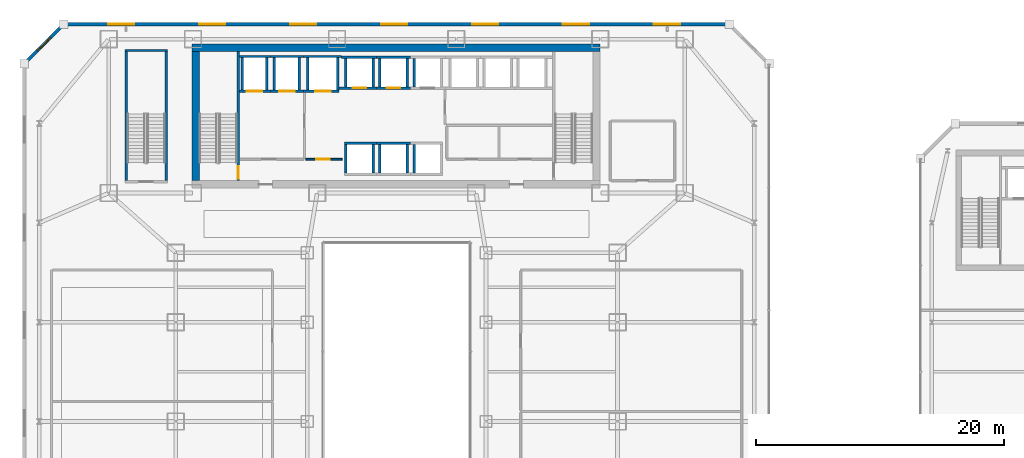
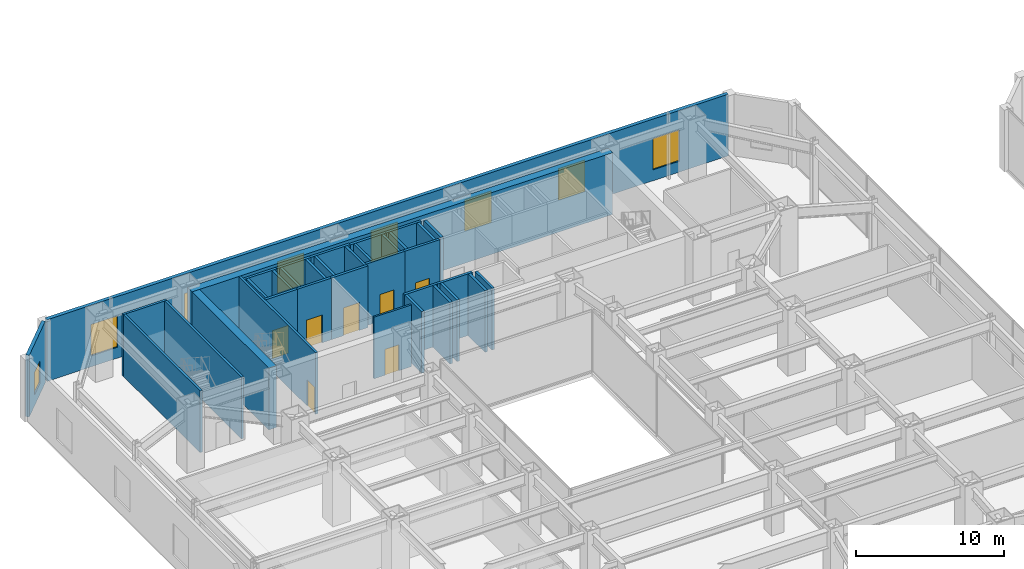
# One storey, part 40 of 52: 37 walls, 8 windows, 7 doors, 15 openings.
"""IFC4 building model written with IfcOpenShell, lengths in metres."""

import ifcopenshell
import ifcopenshell.guid

model = None  # the IFC model being written
_history = None  # IfcOwnerHistory: only IFC2X3 demands one
_inside = {}  # id of a spatial element -> (the spatial element, [elements in it])
_under = {}  # id of a project, library or spatial element -> (it, [spatial elements below it])
_declared = {}  # id of a project -> (the project, [libraries it declares])
_typed = {}  # id of a type object -> (the type object, [elements of that type])
_made_of = {}  # id of a material, layer set ... -> (it, [elements and type objects made of it])


def new_model(schema):
    """Start an empty IFC model of exactly this schema.

    Asked for "IFC4X3", IfcOpenShell would pick the latest addendum, in which some entities
    have other attributes; the version numbers below select the first issue.
    IFC2X3 requires an IfcOwnerHistory on every rooted entity: one is made here for all.
    """
    global model, _history
    if schema == "IFC4X3":
        model = ifcopenshell.file(schema_version=(4, 3, 0, 0))
    else:
        model = ifcopenshell.file(schema=schema)
    _inside.clear()
    _under.clear()
    _declared.clear()
    _typed.clear()
    _made_of.clear()
    _history = None
    if model.schema == "IFC2X3":
        org = make("IfcOrganization", Name="unknown")
        user = make(
            "IfcPersonAndOrganization",
            ThePerson=make("IfcPerson", FamilyName="unknown"),
            TheOrganization=org,
        )
        app = make(
            "IfcApplication",
            ApplicationDeveloper=org,
            Version="unknown",
            ApplicationFullName="unknown",
            ApplicationIdentifier="unknown",
        )
        _history = make(
            "IfcOwnerHistory",
            OwningUser=user,
            OwningApplication=app,
            ChangeAction="ADDED",
            CreationDate=0,
        )
    return model


def make(cls, **values):
    """One entity of the class cls with the attributes given. An attribute that is None is left unset."""
    return model.create_entity(
        cls, **{name: value for name, value in values.items() if value is not None}
    )


def rooted(cls, **values):
    """An entity with a GlobalId (a new one), such as an element, a storey or a relation."""
    return make(cls, GlobalId=ifcopenshell.guid.new(), OwnerHistory=_history, **values)


def si_unit(unit_type, name, prefix=None):
    """IfcSIUnit, for example si_unit("LENGTHUNIT", "METRE", prefix="MILLI")."""
    return make("IfcSIUnit", UnitType=unit_type, Prefix=prefix, Name=name)


def assignment(units):
    """IfcUnitAssignment: the units of a project."""
    return None if units is None else make("IfcUnitAssignment", Units=units)


def point(xyz):
    """IfcCartesianPoint."""
    return None if xyz is None else make("IfcCartesianPoint", Coordinates=xyz)


def direction(xyz):
    """IfcDirection."""
    return None if xyz is None else make("IfcDirection", DirectionRatios=xyz)


def frame(location, z_axis=None, x_axis=None):
    """IfcAxis2Placement3D, a coordinate frame: its origin and axes. An axis left out is left unset."""
    return make(
        "IfcAxis2Placement3D",
        Location=point(location),
        Axis=direction(z_axis),
        RefDirection=direction(x_axis),
    )


def frame_2d(location, x_axis=None):
    """IfcAxis2Placement2D, a coordinate frame in the plane: its origin and x axis."""
    return make(
        "IfcAxis2Placement2D", Location=point(location), RefDirection=direction(x_axis)
    )


def origin():
    """The frame at (0, 0, 0) with its axes left unset."""
    return frame((0.0, 0.0, 0.0))


def place(relative_to, where):
    """IfcLocalPlacement: puts the frame where relative to a parent placement (None: the world)."""
    return make(
        "IfcLocalPlacement", PlacementRelTo=relative_to, RelativePlacement=where
    )


def context(
    kind, dimensions, precision=None, world=None, true_north=None, identifier=None
):
    """IfcGeometricRepresentationContext, for example the 3D "Model" context."""
    return make(
        "IfcGeometricRepresentationContext",
        ContextIdentifier=identifier,
        ContextType=kind,
        CoordinateSpaceDimension=dimensions,
        Precision=precision,
        WorldCoordinateSystem=world,
        TrueNorth=true_north,
    )


def subcontext(parent, identifier, kind, view, scale=None):
    """IfcGeometricRepresentationSubContext, for example "Body" below "Model"."""
    return make(
        "IfcGeometricRepresentationSubContext",
        ContextIdentifier=identifier,
        ContextType=kind,
        ParentContext=parent,
        TargetScale=scale,
        TargetView=view,
    )


def project(units=None, contexts=None):
    """IfcProject with its units and contexts."""
    return rooted(
        "IfcProject",
        Name="project",
        RepresentationContexts=contexts,
        UnitsInContext=assignment(units),
    )


def spatial(cls, under=None, at=None, **own):
    """A site, building, storey or space (cls), placed at a placement, below another one or the project."""
    s = rooted(cls, ObjectPlacement=at, **own)
    if under is not None:
        _under.setdefault(under.id(), (under, []))[1].append(s)
    return s


def profile(cls, at=None, kind="AREA", **sizes):
    """A parametric profile (cls). Its sizes go by their IFC names, for example OverallWidth=200.0."""
    return make(cls, ProfileType=kind, Position=at, **sizes)


def rectangle(**sizes):
    """IfcRectangleProfileDef."""
    return profile("IfcRectangleProfileDef", **sizes)


def extrude(swept, where, along, depth):
    """IfcExtrudedAreaSolid: the profile swept, set in the frame where, extruded along a direction by depth."""
    return make(
        "IfcExtrudedAreaSolid",
        SweptArea=swept,
        Position=where,
        ExtrudedDirection=direction(along),
        Depth=depth,
    )


def shape(context_of_items, identifier, shape_type, items):
    """IfcShapeRepresentation: the items that make up one representation, for example the "Body"."""
    return make(
        "IfcShapeRepresentation",
        ContextOfItems=context_of_items,
        RepresentationIdentifier=identifier,
        RepresentationType=shape_type,
        Items=items,
    )


def material(Name=None, Category=None):
    """IfcMaterial."""
    return make("IfcMaterial", Name=Name, Category=Category)


def layer(
    of_material, thickness, ventilated=None, Name=None, Category=None, Priority=None
):
    """IfcMaterialLayer: one layer of a wall or slab, of a material (None: an air gap)."""
    return make(
        "IfcMaterialLayer",
        Material=of_material,
        LayerThickness=thickness,
        IsVentilated=ventilated,
        Name=Name,
        Category=Category,
        Priority=Priority,
    )


def layer_set(layers, Name=None):
    """IfcMaterialLayerSet."""
    return make("IfcMaterialLayerSet", MaterialLayers=layers, LayerSetName=Name)


def made_of(thing, what):
    """Note that an element or type object is made of a material, layer set ...; save() writes the relation."""
    if what is not None:
        _made_of.setdefault(what.id(), (what, []))[1].append(thing)
    return thing


def type_object(cls, material=None, **own):
    """A type object (cls), such as IfcWallType, which elements share."""
    return made_of(rooted(cls, **own), material)


def element(
    cls,
    number,
    at=None,
    inside=None,
    cuts=None,
    type_object=None,
    material=None,
    context=None,
    identifier="Body",
    shape_type=None,
    held_by="IfcProductDefinitionShape",
    body=None,
    shapes=None,
    **own,
):
    """One element of the class cls, such as IfcWall. Its Tag is "e" and its number.

    at: its placement. inside: the storey or other place that contains it. cuts: it is an
    opening in that element (IfcRelVoidsElement). A single representation is given by context,
    identifier, shape_type and body (its items); several are given by shapes. held_by: the class
    of the entity that holds the representations. save() writes the other relations.
    """
    e = rooted(cls, Tag="e%d" % number, ObjectPlacement=at, **own)
    if body is not None:
        shapes = [shape(context, identifier, shape_type, body)]
    if shapes is not None:
        e.Representation = make(held_by, Representations=shapes)
    if inside is not None:
        _inside.setdefault(inside.id(), (inside, []))[1].append(e)
    if cuts is not None:
        rooted(
            "IfcRelVoidsElement", RelatingBuildingElement=cuts, RelatedOpeningElement=e
        )
    if type_object is not None:
        _typed.setdefault(type_object.id(), (type_object, []))[1].append(e)
    return made_of(e, material)


def fill(opening, filler):
    """IfcRelFillsElement: the door or window that sits in an opening."""
    return rooted(
        "IfcRelFillsElement",
        RelatingOpeningElement=opening,
        RelatedBuildingElement=filler,
    )


def aggregate(whole, parts):
    """IfcRelAggregates: a whole, such as a stair, and the parts it consists of."""
    return rooted("IfcRelAggregates", RelatingObject=whole, RelatedObjects=parts)


def save(model, path):
    """Write the relations noted so far, then the file.

    IfcRelAggregates (storeys below a building ...), IfcRelContainedInSpatialStructure (elements
    in a storey), IfcRelDefinesByType, IfcRelAssociatesMaterial and IfcRelDeclares: one each for
    every whole, place, type object, material and project.
    """
    for whole, parts in _under.values():
        aggregate(whole, parts)
    for where, things in _inside.values():
        rooted(
            "IfcRelContainedInSpatialStructure",
            RelatedElements=things,
            RelatingStructure=where,
        )
    for kind, things in _typed.values():
        rooted("IfcRelDefinesByType", RelatedObjects=things, RelatingType=kind)
    for what, things in _made_of.values():
        rooted("IfcRelAssociatesMaterial", RelatedObjects=things, RelatingMaterial=what)
    for by, libraries in _declared.values():
        rooted("IfcRelDeclares", RelatingContext=by, RelatedDefinitions=libraries)
    model.write(path)


model = new_model("IFC4")

# Units and contexts
model_context = context("Model", 3, precision=1e-05, world=origin(), true_north=direction((0.0, 1.0)))
body_context = subcontext(model_context, "Body", "Model", "MODEL_VIEW")
ifc_project = project(units=[si_unit("LENGTHUNIT", "METRE"), si_unit("AREAUNIT", "SQUARE_METRE"), si_unit("VOLUMEUNIT", "CUBIC_METRE"), si_unit("PLANEANGLEUNIT", "RADIAN"), si_unit("MASSUNIT", "GRAM", prefix="KILO")], contexts=[model_context])

# Site, building, storey
site_placement = place(None, origin())
site = spatial("IfcSite", under=ifc_project, at=site_placement, CompositionType="ELEMENT")
building_placement = place(site_placement, origin())
building = spatial("IfcBuilding", under=site, at=building_placement, Name="Saevonmaru Cultural Tower", CompositionType="ELEMENT")
storey_placement = place(building_placement, frame((0.0, 0.0, 16.800048828125)))
storey = spatial("IfcBuildingStorey", under=building, at=storey_placement, Name="L03", CompositionType="ELEMENT", Elevation=16.800048828125)

# Walls
ifc_material_1 = material(Name="Concrete C60/75", Category="concrete")
ifc_layer_1 = layer(ifc_material_1, 0.60009765625, Name="Concrete C60/75")
ifc_layer_set_1 = layer_set([ifc_layer_1], Name="Concrete C60/75")
wall_type_1 = type_object("IfcWallType", Name="WL-CORE-600", PredefinedType="SHEAR", material=ifc_layer_set_1)
wall_1_placement = place(storey_placement, frame((13.5, 54.10009765625, 0.0), z_axis=(0.0, 0.0, 1.0), x_axis=(1.0, 0.0, 0.0)))
element("IfcWall", 1, at=wall_1_placement, inside=storey, type_object=wall_type_1, Name="L03 Tower RC core shear wall N", PredefinedType="SHEAR", context=body_context, shape_type="SweptSolid", body=[
    extrude(rectangle(XDim=32.89990234375, YDim=0.60009765625, at=frame_2d((16.449951171875, 0.0))), origin(), (0.0, 0.0, 1.0), 5.099853515625),
])
wall_2_placement = place(storey_placement, frame((13.800048828125, 43.39990234375, 0.0), z_axis=(0.0, 0.0, 1.0), x_axis=(0.0, 1.0, 0.0)))
element("IfcWall", 2, at=wall_2_placement, inside=storey, type_object=wall_type_1, Name="L03 Tower RC core shear wall W", PredefinedType="SHEAR", context=body_context, shape_type="SweptSolid", body=[
    extrude(rectangle(XDim=10.400146484375, YDim=0.60009765625, at=frame_2d((5.2001953125, 0.0))), origin(), (0.0, 0.0, 1.0), 5.099853515625),
])

# Wall, opening, door
ifc_material_2 = material(Name="Gypsum Fireboard Partition", Category="gypsum")
ifc_layer_2 = layer(ifc_material_2, 0.14990234375, Name="Gypsum Fireboard Partition")
ifc_layer_set_2 = layer_set([ifc_layer_2], Name="Gypsum Fireboard Partition")
wall_type_2 = type_object("IfcWallType", Name="WL-CORE-PART-150", PredefinedType="PARTITIONING", material=ifc_layer_set_2)
wall_3_placement = place(storey_placement, frame((22.679931640625, 45.1201171875, 0.0), z_axis=(0.0, 0.0, 1.0), x_axis=(1.0, 0.0, 0.0)))
wall_3 = element("IfcWall", 3, at=wall_3_placement, inside=storey, type_object=wall_type_2, Name="L03 Service Lift Vestibule Wall", PredefinedType="PARTITIONING", context=body_context, shape_type="SweptSolid", body=[
    extrude(rectangle(XDim=2.920166015625, YDim=0.14990234375, at=frame_2d((1.4599609375, 0.0))), origin(), (0.0, 0.0, 1.0), 5.099853515625),
])
opening_1_placement = place(wall_3_placement, frame((0.85009765625, 0.0, 0.0)))
opening_1 = element("IfcOpeningElement", 4, at=opening_1_placement, cuts=wall_3, Name="Opening FD-2", PredefinedType="OPENING", context=body_context, shape_type="SweptSolid", body=[
    extrude(rectangle(XDim=1.10009765625, YDim=2.14990234375, at=frame_2d((0.550048828125, 1.074951171875))), frame((0.0, 0.0849609375, 0.0), z_axis=(0.0, -1.0, 0.0), x_axis=(1.0, 0.0, 0.0)), (0.0, 0.0, 1.0), 0.169921875),
])
ifc_material_3 = material(Name="Satin Bronze Anodised Aluminium", Category="aluminium")
door_type_1 = type_object("IfcDoorType", Name="DR-FD60-1100", OperationType="SINGLE_SWING_LEFT", PredefinedType="DOOR", material=ifc_material_3)
door_1_placement = place(opening_1_placement, origin())
door_1 = element("IfcDoor", 5, at=door_1_placement, inside=storey, type_object=door_type_1, Name="L03 Service Lift Vestibule Door", OperationType="SINGLE_SWING_LEFT", OverallHeight=2.14990234375, OverallWidth=1.10009765625, PredefinedType="DOOR", context=body_context, shape_type="SweptSolid", body=[
    extrude(rectangle(XDim=1.10009765625, YDim=2.14990234375, at=frame_2d((0.550048828125, 1.074951171875))), frame((0.0, 0.02490234375, 0.0), z_axis=(0.0, -1.0, 0.0), x_axis=(1.0, 0.0, 0.0)), (0.0, 0.0, 1.0), 0.050048828125),
])
fill(opening_1, door_1)

# Wall, opening, window
ifc_material_4 = material(Name="Granite-Clad Precast Concrete C40/50", Category="masonry")
ifc_layer_3 = layer(ifc_material_4, 0.260009765625, Name="Granite-Clad Precast Concrete C40/50")
ifc_layer_set_3 = layer_set([ifc_layer_3], Name="Granite-Clad Precast Concrete C40/50")
wall_type_3 = type_object("IfcWallType", Name="WL-EXT-SPANDREL-260", PredefinedType="STANDARD", material=ifc_layer_set_3)
wall_4_placement = place(storey_placement, frame((3.0869140625, 55.886962890625, 0.0), z_axis=(0.0, 0.0, 1.0), x_axis=(-0.707106781187, -0.707106781187, 0.0)))
wall_4 = element("IfcWall", 6, at=wall_4_placement, inside=storey, type_object=wall_type_3, Name="L03 Podium Bronze-Granite Exterior Wall E7", PredefinedType="STANDARD", context=body_context, shape_type="SweptSolid", body=[
    extrude(rectangle(XDim=4.205810546875, YDim=0.260009765625, at=frame_2d((2.10302734375, 0.0))), origin(), (0.0, 0.0, 1.0), 5.099853515625),
])
opening_2_placement = place(wall_4_placement, frame((1.35302734375, 0.0, 0.89990234375)))
opening_2 = element("IfcOpeningElement", 7, at=opening_2_placement, cuts=wall_4, Name="Opening W-2B", PredefinedType="OPENING", context=body_context, shape_type="SweptSolid", body=[
    extrude(rectangle(XDim=1.5, YDim=1.85009765625, at=frame_2d((0.75, 0.925048828125))), frame((0.0, 0.14013671875, 0.0), z_axis=(0.0, -1.0, 0.0), x_axis=(1.0, 0.0, 0.0)), (0.0, 0.0, 1.0), 0.280029296875),
])
window_type_1 = type_object("IfcWindowType", Name="WN-DECO-1500x1850", PartitioningType="SINGLE_PANEL", PredefinedType="WINDOW", material=ifc_material_3)
window_1_placement = place(opening_2_placement, origin())
window_1 = element("IfcWindow", 8, at=window_1_placement, inside=storey, type_object=window_type_1, Name="L03 Chamfer Bay Window E7", OverallHeight=1.85009765625, OverallWidth=1.5, PartitioningType="SINGLE_PANEL", PredefinedType="WINDOW", context=body_context, shape_type="SweptSolid", body=[
    extrude(rectangle(XDim=1.5, YDim=1.85009765625, at=frame_2d((0.75, 0.925048828125))), frame((0.0, 0.030029296875, 0.0), z_axis=(0.0, -1.0, 0.0), x_axis=(1.0, 0.0, 0.0)), (0.0, 0.0, 1.0), 0.06005859375),
])
fill(opening_2, window_1)

# Wall, openings, windows
ifc_layer_4 = layer(ifc_material_4, 0.280029296875, Name="Granite-Clad Precast Concrete C40/50")
ifc_layer_set_4 = layer_set([ifc_layer_4], Name="Granite-Clad Precast Concrete C40/50")
wall_type_4 = type_object("IfcWallType", Name="WL-EXT-SPANDREL-280", PredefinedType="STANDARD", material=ifc_layer_set_4)
wall_5_placement = place(storey_placement, frame((56.639892578125, 56.0, 0.0), z_axis=(0.0, 0.0, 1.0), x_axis=(-1.0, 0.0, 0.0)))
wall_5 = element("IfcWall", 9, at=wall_5_placement, inside=storey, type_object=wall_type_4, Name="L03 Podium Bronze-Granite Exterior Wall E6", PredefinedType="STANDARD", context=body_context, shape_type="SweptSolid", body=[
    extrude(rectangle(XDim=53.27978515625, YDim=0.280029296875, at=frame_2d((26.639892578125, 0.0))), origin(), (0.0, 0.0, 1.0), 5.099853515625),
])
opening_3_placement = place(wall_5_placement, frame((3.81298828125, 0.0, 0.89990234375)))
opening_3 = element("IfcOpeningElement", 10, at=opening_3_placement, cuts=wall_5, Name="Opening W-1B", PredefinedType="OPENING", context=body_context, shape_type="SweptSolid", body=[
    extrude(rectangle(XDim=2.10009765625, YDim=2.60009765625, at=frame_2d((1.050048828125, 1.300048828125))), frame((0.0, 0.14990234375, 0.0), z_axis=(0.0, -1.0, 0.0), x_axis=(1.0, 0.0, 0.0)), (0.0, 0.0, 1.0), 0.300048828125),
])
opening_4_placement = place(wall_5_placement, frame((11.138916015625, 0.0, 0.89990234375)))
opening_4 = element("IfcOpeningElement", 11, at=opening_4_placement, cuts=wall_5, Name="Opening W-1B", PredefinedType="OPENING", context=body_context, shape_type="SweptSolid", body=[
    extrude(rectangle(XDim=2.10009765625, YDim=2.60009765625, at=frame_2d((1.050048828125, 1.300048828125))), frame((0.0, 0.14990234375, 0.0), z_axis=(0.0, -1.0, 0.0), x_axis=(1.0, 0.0, 0.0)), (0.0, 0.0, 1.0), 0.300048828125),
])
opening_5_placement = place(wall_5_placement, frame((18.464111328125, 0.0, 0.89990234375)))
opening_5 = element("IfcOpeningElement", 12, at=opening_5_placement, cuts=wall_5, Name="Opening W-1B", PredefinedType="OPENING", context=body_context, shape_type="SweptSolid", body=[
    extrude(rectangle(XDim=2.10009765625, YDim=2.60009765625, at=frame_2d((1.050048828125, 1.300048828125))), frame((0.0, 0.14990234375, 0.0), z_axis=(0.0, -1.0, 0.0), x_axis=(1.0, 0.0, 0.0)), (0.0, 0.0, 1.0), 0.300048828125),
])
opening_6_placement = place(wall_5_placement, frame((25.7900390625, 0.0, 0.89990234375)))
opening_6 = element("IfcOpeningElement", 13, at=opening_6_placement, cuts=wall_5, Name="Opening W-1B", PredefinedType="OPENING", context=body_context, shape_type="SweptSolid", body=[
    extrude(rectangle(XDim=2.10009765625, YDim=2.60009765625, at=frame_2d((1.050048828125, 1.300048828125))), frame((0.0, 0.14990234375, 0.0), z_axis=(0.0, -1.0, 0.0), x_axis=(1.0, 0.0, 0.0)), (0.0, 0.0, 1.0), 0.300048828125),
])
opening_7_placement = place(wall_5_placement, frame((33.115966796875, 0.0, 0.89990234375)))
opening_7 = element("IfcOpeningElement", 14, at=opening_7_placement, cuts=wall_5, Name="Opening W-1B", PredefinedType="OPENING", context=body_context, shape_type="SweptSolid", body=[
    extrude(rectangle(XDim=2.10009765625, YDim=2.60009765625, at=frame_2d((1.050048828125, 1.300048828125))), frame((0.0, 0.14990234375, 0.0), z_axis=(0.0, -1.0, 0.0), x_axis=(1.0, 0.0, 0.0)), (0.0, 0.0, 1.0), 0.300048828125),
])
opening_8_placement = place(wall_5_placement, frame((40.44091796875, 0.0, 0.89990234375)))
opening_8 = element("IfcOpeningElement", 15, at=opening_8_placement, cuts=wall_5, Name="Opening W-1B", PredefinedType="OPENING", context=body_context, shape_type="SweptSolid", body=[
    extrude(rectangle(XDim=2.10009765625, YDim=2.60009765625, at=frame_2d((1.050048828125, 1.300048828125))), frame((0.0, 0.14990234375, 0.0), z_axis=(0.0, -1.0, 0.0), x_axis=(1.0, 0.0, 0.0)), (0.0, 0.0, 1.0), 0.300048828125),
])
opening_9_placement = place(wall_5_placement, frame((47.76708984375, 0.0, 0.89990234375)))
opening_9 = element("IfcOpeningElement", 16, at=opening_9_placement, cuts=wall_5, Name="Opening W-1B", PredefinedType="OPENING", context=body_context, shape_type="SweptSolid", body=[
    extrude(rectangle(XDim=2.10009765625, YDim=2.60009765625, at=frame_2d((1.050048828125, 1.300048828125))), frame((0.0, 0.14990234375, 0.0), z_axis=(0.0, -1.0, 0.0), x_axis=(1.0, 0.0, 0.0)), (0.0, 0.0, 1.0), 0.300048828125),
])
window_type_2 = type_object("IfcWindowType", Name="WN-DECO-2100x2600", PartitioningType="DOUBLE_PANEL_VERTICAL", PredefinedType="WINDOW", material=ifc_material_3)
window_2_placement = place(opening_3_placement, origin())
window_2 = element("IfcWindow", 17, at=window_2_placement, inside=storey, type_object=window_type_2, Name="L03 Art Deco Bronze Window E6-1", OverallHeight=2.60009765625, OverallWidth=2.10009765625, PartitioningType="DOUBLE_PANEL_VERTICAL", PredefinedType="WINDOW", context=body_context, shape_type="SweptSolid", body=[
    extrude(rectangle(XDim=2.10009765625, YDim=2.60009765625, at=frame_2d((1.050048828125, 1.300048828125))), frame((0.0, 0.030029296875, 0.0), z_axis=(0.0, -1.0, 0.0), x_axis=(1.0, 0.0, 0.0)), (0.0, 0.0, 1.0), 0.06005859375),
])
fill(opening_3, window_2)
window_3_placement = place(opening_4_placement, origin())
window_3 = element("IfcWindow", 18, at=window_3_placement, inside=storey, type_object=window_type_2, Name="L03 Art Deco Bronze Window E6-2", OverallHeight=2.60009765625, OverallWidth=2.10009765625, PartitioningType="DOUBLE_PANEL_VERTICAL", PredefinedType="WINDOW", context=body_context, shape_type="SweptSolid", body=[
    extrude(rectangle(XDim=2.10009765625, YDim=2.60009765625, at=frame_2d((1.050048828125, 1.300048828125))), frame((0.0, 0.030029296875, 0.0), z_axis=(0.0, -1.0, 0.0), x_axis=(1.0, 0.0, 0.0)), (0.0, 0.0, 1.0), 0.06005859375),
])
fill(opening_4, window_3)
window_4_placement = place(opening_5_placement, origin())
window_4 = element("IfcWindow", 19, at=window_4_placement, inside=storey, type_object=window_type_2, Name="L03 Art Deco Bronze Window E6-3", OverallHeight=2.60009765625, OverallWidth=2.10009765625, PartitioningType="DOUBLE_PANEL_VERTICAL", PredefinedType="WINDOW", context=body_context, shape_type="SweptSolid", body=[
    extrude(rectangle(XDim=2.10009765625, YDim=2.60009765625, at=frame_2d((1.050048828125, 1.300048828125))), frame((0.0, 0.030029296875, 0.0), z_axis=(0.0, -1.0, 0.0), x_axis=(1.0, 0.0, 0.0)), (0.0, 0.0, 1.0), 0.06005859375),
])
fill(opening_5, window_4)
window_5_placement = place(opening_6_placement, origin())
window_5 = element("IfcWindow", 20, at=window_5_placement, inside=storey, type_object=window_type_2, Name="L03 Art Deco Bronze Window E6-4", OverallHeight=2.60009765625, OverallWidth=2.10009765625, PartitioningType="DOUBLE_PANEL_VERTICAL", PredefinedType="WINDOW", context=body_context, shape_type="SweptSolid", body=[
    extrude(rectangle(XDim=2.10009765625, YDim=2.60009765625, at=frame_2d((1.050048828125, 1.300048828125))), frame((0.0, 0.030029296875, 0.0), z_axis=(0.0, -1.0, 0.0), x_axis=(1.0, 0.0, 0.0)), (0.0, 0.0, 1.0), 0.06005859375),
])
fill(opening_6, window_5)
window_6_placement = place(opening_7_placement, origin())
window_6 = element("IfcWindow", 21, at=window_6_placement, inside=storey, type_object=window_type_2, Name="L03 Art Deco Bronze Window E6-5", OverallHeight=2.60009765625, OverallWidth=2.10009765625, PartitioningType="DOUBLE_PANEL_VERTICAL", PredefinedType="WINDOW", context=body_context, shape_type="SweptSolid", body=[
    extrude(rectangle(XDim=2.10009765625, YDim=2.60009765625, at=frame_2d((1.050048828125, 1.300048828125))), frame((0.0, 0.030029296875, 0.0), z_axis=(0.0, -1.0, 0.0), x_axis=(1.0, 0.0, 0.0)), (0.0, 0.0, 1.0), 0.06005859375),
])
fill(opening_7, window_6)
window_7_placement = place(opening_8_placement, origin())
window_7 = element("IfcWindow", 22, at=window_7_placement, inside=storey, type_object=window_type_2, Name="L03 Art Deco Bronze Window E6-6", OverallHeight=2.60009765625, OverallWidth=2.10009765625, PartitioningType="DOUBLE_PANEL_VERTICAL", PredefinedType="WINDOW", context=body_context, shape_type="SweptSolid", body=[
    extrude(rectangle(XDim=2.10009765625, YDim=2.60009765625, at=frame_2d((1.050048828125, 1.300048828125))), frame((0.0, 0.030029296875, 0.0), z_axis=(0.0, -1.0, 0.0), x_axis=(1.0, 0.0, 0.0)), (0.0, 0.0, 1.0), 0.06005859375),
])
fill(opening_8, window_7)
window_8_placement = place(opening_9_placement, origin())
window_8 = element("IfcWindow", 23, at=window_8_placement, inside=storey, type_object=window_type_2, Name="L03 Art Deco Bronze Window E6-7", OverallHeight=2.60009765625, OverallWidth=2.10009765625, PartitioningType="DOUBLE_PANEL_VERTICAL", PredefinedType="WINDOW", context=body_context, shape_type="SweptSolid", body=[
    extrude(rectangle(XDim=2.10009765625, YDim=2.60009765625, at=frame_2d((1.050048828125, 1.300048828125))), frame((0.0, 0.030029296875, 0.0), z_axis=(0.0, -1.0, 0.0), x_axis=(1.0, 0.0, 0.0)), (0.0, 0.0, 1.0), 0.06005859375),
])
fill(opening_9, window_8)

# Wall, opening, door
ifc_material_5 = material(Name="Concrete C40/50", Category="concrete")
ifc_layer_5 = layer(ifc_material_5, 0.199951171875, Name="Concrete C40/50")
ifc_layer_set_5 = layer_set([ifc_layer_5], Name="Concrete C40/50")
wall_type_5 = type_object("IfcWallType", Name="WL-SHAFT-200", PredefinedType="SHEAR", material=ifc_layer_set_5)
wall_6_placement = place(storey_placement, frame((17.330078125, 50.60009765625, 0.0), z_axis=(0.0, 0.0, 1.0), x_axis=(1.0, 0.0, 0.0)))
wall_6 = element("IfcWall", 24, at=wall_6_placement, inside=storey, type_object=wall_type_5, Name="L03 Lift FFL-1 Hoistway Wall S", PredefinedType="SHEAR", context=body_context, shape_type="SweptSolid", body=[
    extrude(rectangle(XDim=2.52001953125, YDim=0.199951171875, at=frame_2d((1.260009765625, 0.0))), origin(), (0.0, 0.0, 1.0), 5.099853515625),
])
opening_10_placement = place(wall_6_placement, frame((0.594970703125, 0.0, 0.0)))
opening_10 = element("IfcOpeningElement", 25, at=opening_10_placement, cuts=wall_6, Name="Opening LD-2", PredefinedType="OPENING", context=body_context, shape_type="SweptSolid", body=[
    extrude(rectangle(XDim=1.25, YDim=2.300048828125, at=frame_2d((0.625, 1.14990234375))), frame((0.0, 0.10986328125, 0.0), z_axis=(0.0, -1.0, 0.0), x_axis=(1.0, 0.0, 0.0)), (0.0, 0.0, 1.0), 0.219970703125),
])
ifc_material_6 = material(Name="Stainless Steel 316", Category="steel")
door_type_2 = type_object("IfcDoorType", Name="DR-LIFT-1250", OperationType="SLIDING_TO_LEFT", PredefinedType="DOOR", material=ifc_material_6)
door_2_placement = place(opening_10_placement, origin())
door_2 = element("IfcDoor", 26, at=door_2_placement, inside=storey, type_object=door_type_2, Name="L03 Lift FFL-1 Sliding Landing Door", OperationType="SLIDING_TO_LEFT", OverallHeight=2.300048828125, OverallWidth=1.25, PredefinedType="DOOR", context=body_context, shape_type="SweptSolid", body=[
    extrude(rectangle(XDim=1.25, YDim=2.300048828125, at=frame_2d((0.625, 1.14990234375))), frame((0.0, 0.02490234375, 0.0), z_axis=(0.0, -1.0, 0.0), x_axis=(1.0, 0.0, 0.0)), (0.0, 0.0, 1.0), 0.050048828125),
])
fill(opening_10, door_2)

# Walls
wall_7_placement = place(storey_placement, frame((17.330078125, 53.39990234375, 0.0), z_axis=(0.0, 0.0, 1.0), x_axis=(1.0, 0.0, 0.0)))
element("IfcWall", 27, at=wall_7_placement, inside=storey, type_object=wall_type_5, Name="L03 Lift FFL-1 Hoistway Wall N", PredefinedType="SHEAR", context=body_context, shape_type="SweptSolid", body=[
    extrude(rectangle(XDim=2.52001953125, YDim=0.199951171875, at=frame_2d((1.260009765625, 0.0))), origin(), (0.0, 0.0, 1.0), 5.099853515625),
])
for number, where, z_axis, x_axis, name in (
    (28, (17.550048828125, 50.699951171875, 0.0), (0.0, 0.0, 1.0), (0.0, 1.0, 0.0), "L03 Lift FFL-1 Hoistway Wall W"),
    (29, (19.550048828125, 50.699951171875, 0.0), (0.0, 0.0, 1.0), (0.0, 1.0, 0.0), "L03 Lift FFL-1 Hoistway Wall E"),
):
    element("IfcWall", number, at=place(storey_placement, frame(where, z_axis=z_axis, x_axis=x_axis)), inside=storey, type_object=wall_type_5, Name=name, PredefinedType="SHEAR", context=body_context, shape_type="SweptSolid", body=[
        extrude(rectangle(XDim=2.60009765625, YDim=0.199951171875, at=frame_2d((1.300048828125, 0.0))), origin(), (0.0, 0.0, 1.0), 5.099853515625),
    ])

# Wall, opening, door
wall_8_placement = place(storey_placement, frame((19.85009765625, 50.60009765625, 0.0), z_axis=(0.0, 0.0, 1.0), x_axis=(1.0, 0.0, 0.0)))
wall_8 = element("IfcWall", 30, at=wall_8_placement, inside=storey, type_object=wall_type_5, Name="L03 Lift FFL-2 Hoistway Wall S", PredefinedType="SHEAR", context=body_context, shape_type="SweptSolid", body=[
    extrude(rectangle(XDim=2.64990234375, YDim=0.199951171875, at=frame_2d((1.324951171875, 0.0))), origin(), (0.0, 0.0, 1.0), 5.099853515625),
])
opening_11_placement = place(wall_8_placement, frame((0.675048828125, 0.0, 0.0)))
opening_11 = element("IfcOpeningElement", 31, at=opening_11_placement, cuts=wall_8, Name="Opening LD-2", PredefinedType="OPENING", context=body_context, shape_type="SweptSolid", body=[
    extrude(rectangle(XDim=1.25, YDim=2.300048828125, at=frame_2d((0.625, 1.14990234375))), frame((0.0, 0.10986328125, 0.0), z_axis=(0.0, -1.0, 0.0), x_axis=(1.0, 0.0, 0.0)), (0.0, 0.0, 1.0), 0.219970703125),
])
door_3_placement = place(opening_11_placement, origin())
door_3 = element("IfcDoor", 32, at=door_3_placement, inside=storey, type_object=door_type_2, Name="L03 Lift FFL-2 Sliding Landing Door", OperationType="SLIDING_TO_LEFT", OverallHeight=2.300048828125, OverallWidth=1.25, PredefinedType="DOOR", context=body_context, shape_type="SweptSolid", body=[
    extrude(rectangle(XDim=1.25, YDim=2.300048828125, at=frame_2d((0.625, 1.14990234375))), frame((0.0, 0.02490234375, 0.0), z_axis=(0.0, -1.0, 0.0), x_axis=(1.0, 0.0, 0.0)), (0.0, 0.0, 1.0), 0.050048828125),
])
fill(opening_11, door_3)

# Walls
wall_9_placement = place(storey_placement, frame((19.85009765625, 53.39990234375, 0.0), z_axis=(0.0, 0.0, 1.0), x_axis=(1.0, 0.0, 0.0)))
element("IfcWall", 33, at=wall_9_placement, inside=storey, type_object=wall_type_5, Name="L03 Lift FFL-2 Hoistway Wall N", PredefinedType="SHEAR", context=body_context, shape_type="SweptSolid", body=[
    extrude(rectangle(XDim=2.64990234375, YDim=0.199951171875, at=frame_2d((1.324951171875, 0.0))), origin(), (0.0, 0.0, 1.0), 5.099853515625),
])
for number, where, z_axis, x_axis, name in (
    (34, (20.14990234375, 50.699951171875, 0.0), (0.0, 0.0, 1.0), (0.0, 1.0, 0.0), "L03 Lift FFL-2 Hoistway Wall W"),
    (35, (22.14990234375, 50.699951171875, 0.0), (0.0, 0.0, 1.0), (0.0, 1.0, 0.0), "L03 Lift FFL-2 Hoistway Wall E"),
):
    element("IfcWall", number, at=place(storey_placement, frame(where, z_axis=z_axis, x_axis=x_axis)), inside=storey, type_object=wall_type_5, Name=name, PredefinedType="SHEAR", context=body_context, shape_type="SweptSolid", body=[
        extrude(rectangle(XDim=2.60009765625, YDim=0.199951171875, at=frame_2d((1.300048828125, 0.0))), origin(), (0.0, 0.0, 1.0), 5.099853515625),
    ])

# Wall, opening, door
wall_10_placement = place(storey_placement, frame((22.5, 50.60009765625, 0.0), z_axis=(0.0, 0.0, 1.0), x_axis=(1.0, 0.0, 0.0)))
wall_10 = element("IfcWall", 36, at=wall_10_placement, inside=storey, type_object=wall_type_5, Name="L03 Lift GL-1 Hoistway Wall S", PredefinedType="SHEAR", context=body_context, shape_type="SweptSolid", body=[
    extrude(rectangle(XDim=2.85009765625, YDim=0.199951171875, at=frame_2d((1.425048828125, 0.0))), origin(), (0.0, 0.0, 1.0), 5.099853515625),
])
opening_12_placement = place(wall_10_placement, frame((0.925048828125, 0.0, 0.0)))
opening_12 = element("IfcOpeningElement", 37, at=opening_12_placement, cuts=wall_10, Name="Opening LD-2", PredefinedType="OPENING", context=body_context, shape_type="SweptSolid", body=[
    extrude(rectangle(XDim=1.25, YDim=2.300048828125, at=frame_2d((0.625, 1.14990234375))), frame((0.0, 0.10986328125, 0.0), z_axis=(0.0, -1.0, 0.0), x_axis=(1.0, 0.0, 0.0)), (0.0, 0.0, 1.0), 0.219970703125),
])
door_4_placement = place(opening_12_placement, origin())
door_4 = element("IfcDoor", 38, at=door_4_placement, inside=storey, type_object=door_type_2, Name="L03 Lift GL-1 Sliding Landing Door", OperationType="SLIDING_TO_LEFT", OverallHeight=2.300048828125, OverallWidth=1.25, PredefinedType="DOOR", context=body_context, shape_type="SweptSolid", body=[
    extrude(rectangle(XDim=1.25, YDim=2.300048828125, at=frame_2d((0.625, 1.14990234375))), frame((0.0, 0.02490234375, 0.0), z_axis=(0.0, -1.0, 0.0), x_axis=(1.0, 0.0, 0.0)), (0.0, 0.0, 1.0), 0.050048828125),
])
fill(opening_12, door_4)

# Walls
wall_11_placement = place(storey_placement, frame((22.5, 53.39990234375, 0.0), z_axis=(0.0, 0.0, 1.0), x_axis=(1.0, 0.0, 0.0)))
element("IfcWall", 39, at=wall_11_placement, inside=storey, type_object=wall_type_5, Name="L03 Lift GL-1 Hoistway Wall N", PredefinedType="SHEAR", context=body_context, shape_type="SweptSolid", body=[
    extrude(rectangle(XDim=3.074951171875, YDim=0.199951171875, at=frame_2d((1.53759765625, 0.0))), origin(), (0.0, 0.0, 1.0), 5.099853515625),
])
for number, where, z_axis, x_axis, name in (
    (40, (22.85009765625, 50.699951171875, 0.0), (0.0, 0.0, 1.0), (0.0, 1.0, 0.0), "L03 Lift GL-1 Hoistway Wall W"),
    (41, (25.25, 50.699951171875, 0.0), (0.0, 0.0, 1.0), (0.0, 1.0, 0.0), "L03 Lift GL-1 Hoistway Wall E"),
):
    element("IfcWall", number, at=place(storey_placement, frame(where, z_axis=z_axis, x_axis=x_axis)), inside=storey, type_object=wall_type_5, Name=name, PredefinedType="SHEAR", context=body_context, shape_type="SweptSolid", body=[
        extrude(rectangle(XDim=2.60009765625, YDim=0.199951171875, at=frame_2d((1.300048828125, 0.0))), origin(), (0.0, 0.0, 1.0), 5.099853515625),
    ])

# Wall, opening, door
wall_12_placement = place(storey_placement, frame((25.35009765625, 50.85009765625, 0.0), z_axis=(0.0, 0.0, 1.0), x_axis=(1.0, 0.0, 0.0)))
wall_12 = element("IfcWall", 42, at=wall_12_placement, inside=storey, type_object=wall_type_5, Name="L03 Lift PL-L1 Hoistway Wall S", PredefinedType="SHEAR", context=body_context, shape_type="SweptSolid", body=[
    extrude(rectangle(XDim=3.02490234375, YDim=0.199951171875, at=frame_2d((1.512451171875, 0.0))), origin(), (0.0, 0.0, 1.0), 5.099853515625),
])
opening_13_placement = place(wall_12_placement, frame((1.10009765625, 0.0, 0.0)))
opening_13 = element("IfcOpeningElement", 43, at=opening_13_placement, cuts=wall_12, Name="Opening LD-1", PredefinedType="OPENING", context=body_context, shape_type="SweptSolid", body=[
    extrude(rectangle(XDim=1.10009765625, YDim=2.199951171875, at=frame_2d((0.550048828125, 1.10009765625))), frame((0.0, 0.10986328125, 0.0), z_axis=(0.0, -1.0, 0.0), x_axis=(1.0, 0.0, 0.0)), (0.0, 0.0, 1.0), 0.219970703125),
])
ifc_material_7 = material(Name="Satin Bronze Stainless Steel", Category="steel")
door_type_3 = type_object("IfcDoorType", Name="DR-LIFT-1100", OperationType="SLIDING_TO_LEFT", PredefinedType="DOOR", material=ifc_material_7)
door_5_placement = place(opening_13_placement, origin())
door_5 = element("IfcDoor", 44, at=door_5_placement, inside=storey, type_object=door_type_3, Name="L03 Lift PL-L1 Sliding Landing Door", OperationType="SLIDING_TO_LEFT", OverallHeight=2.199951171875, OverallWidth=1.10009765625, PredefinedType="DOOR", context=body_context, shape_type="SweptSolid", body=[
    extrude(rectangle(XDim=1.10009765625, YDim=2.199951171875, at=frame_2d((0.550048828125, 1.10009765625))), frame((0.0, 0.02490234375, 0.0), z_axis=(0.0, -1.0, 0.0), x_axis=(1.0, 0.0, 0.0)), (0.0, 0.0, 1.0), 0.050048828125),
])
fill(opening_13, door_5)

# Walls
wall_13_placement = place(storey_placement, frame((25.574951171875, 53.35009765625, 0.0), z_axis=(0.0, 0.0, 1.0), x_axis=(1.0, 0.0, 0.0)))
element("IfcWall", 45, at=wall_13_placement, inside=storey, type_object=wall_type_5, Name="L03 Lift PL-L1 Hoistway Wall N", PredefinedType="SHEAR", context=body_context, shape_type="SweptSolid", body=[
    extrude(rectangle(XDim=2.800048828125, YDim=0.199951171875, at=frame_2d((1.39990234375, 0.0))), origin(), (0.0, 0.0, 1.0), 5.099853515625),
])
for number, where, z_axis, x_axis, name in (
    (46, (25.89990234375, 50.949951171875, 0.0), (0.0, 0.0, 1.0), (0.0, 1.0, 0.0), "L03 Lift PL-L1 Hoistway Wall W"),
    (47, (28.10009765625, 50.949951171875, 0.0), (0.0, 0.0, 1.0), (0.0, 1.0, 0.0), "L03 Lift PL-L1 Hoistway Wall E"),
):
    element("IfcWall", number, at=place(storey_placement, frame(where, z_axis=z_axis, x_axis=x_axis)), inside=storey, type_object=wall_type_5, Name=name, PredefinedType="SHEAR", context=body_context, shape_type="SweptSolid", body=[
        extrude(rectangle(XDim=2.300048828125, YDim=0.199951171875, at=frame_2d((1.14990234375, 0.0))), origin(), (0.0, 0.0, 1.0), 5.099853515625),
    ])

# Wall, opening, door
wall_14_placement = place(storey_placement, frame((28.375, 50.85009765625, 0.0), z_axis=(0.0, 0.0, 1.0), x_axis=(1.0, 0.0, 0.0)))
wall_14 = element("IfcWall", 48, at=wall_14_placement, inside=storey, type_object=wall_type_5, Name="L03 Lift PL-L2 Hoistway Wall S", PredefinedType="SHEAR", context=body_context, shape_type="SweptSolid", body=[
    extrude(rectangle(XDim=2.75, YDim=0.199951171875, at=frame_2d((1.375, 0.0))), origin(), (0.0, 0.0, 1.0), 5.099853515625),
])
opening_14_placement = place(wall_14_placement, frame((0.824951171875, 0.0, 0.0)))
opening_14 = element("IfcOpeningElement", 49, at=opening_14_placement, cuts=wall_14, Name="Opening LD-1", PredefinedType="OPENING", context=body_context, shape_type="SweptSolid", body=[
    extrude(rectangle(XDim=1.10009765625, YDim=2.199951171875, at=frame_2d((0.550048828125, 1.10009765625))), frame((0.0, 0.10986328125, 0.0), z_axis=(0.0, -1.0, 0.0), x_axis=(1.0, 0.0, 0.0)), (0.0, 0.0, 1.0), 0.219970703125),
])
door_6_placement = place(opening_14_placement, origin())
door_6 = element("IfcDoor", 50, at=door_6_placement, inside=storey, type_object=door_type_3, Name="L03 Lift PL-L2 Sliding Landing Door", OperationType="SLIDING_TO_LEFT", OverallHeight=2.199951171875, OverallWidth=1.10009765625, PredefinedType="DOOR", context=body_context, shape_type="SweptSolid", body=[
    extrude(rectangle(XDim=1.10009765625, YDim=2.199951171875, at=frame_2d((0.550048828125, 1.10009765625))), frame((0.0, 0.02490234375, 0.0), z_axis=(0.0, -1.0, 0.0), x_axis=(1.0, 0.0, 0.0)), (0.0, 0.0, 1.0), 0.050048828125),
])
fill(opening_14, door_6)

# Walls
wall_15_placement = place(storey_placement, frame((28.375, 53.35009765625, 0.0), z_axis=(0.0, 0.0, 1.0), x_axis=(1.0, 0.0, 0.0)))
element("IfcWall", 51, at=wall_15_placement, inside=storey, type_object=wall_type_5, Name="L03 Lift PL-L2 Hoistway Wall N", PredefinedType="SHEAR", context=body_context, shape_type="SweptSolid", body=[
    extrude(rectangle(XDim=2.75, YDim=0.199951171875, at=frame_2d((1.375, 0.0))), origin(), (0.0, 0.0, 1.0), 5.099853515625),
])
for number, where, z_axis, x_axis, name in (
    (52, (28.64990234375, 50.949951171875, 0.0), (0.0, 0.0, 1.0), (0.0, 1.0, 0.0), "L03 Lift PL-L2 Hoistway Wall W"),
    (53, (30.85009765625, 50.949951171875, 0.0), (0.0, 0.0, 1.0), (0.0, 1.0, 0.0), "L03 Lift PL-L2 Hoistway Wall E"),
    (54, (31.39990234375, 50.949951171875, 0.0), (0.0, 0.0, 1.0), (0.0, 1.0, 0.0), "L03 Lift PL-L3 Hoistway Wall W"),
):
    element("IfcWall", number, at=place(storey_placement, frame(where, z_axis=z_axis, x_axis=x_axis)), inside=storey, type_object=wall_type_5, Name=name, PredefinedType="SHEAR", context=body_context, shape_type="SweptSolid", body=[
        extrude(rectangle(XDim=2.300048828125, YDim=0.199951171875, at=frame_2d((1.14990234375, 0.0))), origin(), (0.0, 0.0, 1.0), 5.099853515625),
    ])
wall_16_placement = place(storey_placement, frame((25.800048828125, 46.39990234375, 0.0), z_axis=(0.0, 0.0, 1.0), x_axis=(1.0, 0.0, 0.0)))
element("IfcWall", 55, at=wall_16_placement, inside=storey, type_object=wall_type_5, Name="L03 Lift PL-M1 Hoistway Wall N", PredefinedType="SHEAR", context=body_context, shape_type="SweptSolid", body=[
    extrude(rectangle(XDim=2.574951171875, YDim=0.199951171875, at=frame_2d((1.28759765625, 0.0))), origin(), (0.0, 0.0, 1.0), 5.099853515625),
])
for number, where, z_axis, x_axis, name in (
    (56, (25.89990234375, 44.0, 0.0), (0.0, 0.0, 1.0), (0.0, 1.0, 0.0), "L03 Lift PL-M1 Hoistway Wall W"),
    (57, (28.10009765625, 44.0, 0.0), (0.0, 0.0, 1.0), (0.0, 1.0, 0.0), "L03 Lift PL-M1 Hoistway Wall E"),
):
    element("IfcWall", number, at=place(storey_placement, frame(where, z_axis=z_axis, x_axis=x_axis)), inside=storey, type_object=wall_type_5, Name=name, PredefinedType="SHEAR", context=body_context, shape_type="SweptSolid", body=[
        extrude(rectangle(XDim=2.300048828125, YDim=0.199951171875, at=frame_2d((1.14990234375, 0.0))), origin(), (0.0, 0.0, 1.0), 5.099853515625),
    ])
wall_17_placement = place(storey_placement, frame((28.375, 46.39990234375, 0.0), z_axis=(0.0, 0.0, 1.0), x_axis=(1.0, 0.0, 0.0)))
element("IfcWall", 58, at=wall_17_placement, inside=storey, type_object=wall_type_5, Name="L03 Lift PL-M2 Hoistway Wall N", PredefinedType="SHEAR", context=body_context, shape_type="SweptSolid", body=[
    extrude(rectangle(XDim=2.75, YDim=0.199951171875, at=frame_2d((1.375, 0.0))), origin(), (0.0, 0.0, 1.0), 5.099853515625),
])
for number, where, z_axis, x_axis, name in (
    (59, (28.64990234375, 44.0, 0.0), (0.0, 0.0, 1.0), (0.0, 1.0, 0.0), "L03 Lift PL-M2 Hoistway Wall W"),
    (60, (30.85009765625, 44.0, 0.0), (0.0, 0.0, 1.0), (0.0, 1.0, 0.0), "L03 Lift PL-M2 Hoistway Wall E"),
    (61, (31.39990234375, 44.0, 0.0), (0.0, 0.0, 1.0), (0.0, 1.0, 0.0), "L03 Lift PL-M3 Hoistway Wall W"),
):
    element("IfcWall", number, at=place(storey_placement, frame(where, z_axis=z_axis, x_axis=x_axis)), inside=storey, type_object=wall_type_5, Name=name, PredefinedType="SHEAR", context=body_context, shape_type="SweptSolid", body=[
        extrude(rectangle(XDim=2.300048828125, YDim=0.199951171875, at=frame_2d((1.14990234375, 0.0))), origin(), (0.0, 0.0, 1.0), 5.099853515625),
    ])

# Wall, opening, door
ifc_layer_6 = layer(ifc_material_5, 0.179931640625, Name="Concrete C40/50")
ifc_layer_set_6 = layer_set([ifc_layer_6], Name="Concrete C40/50")
wall_type_6 = type_object("IfcWallType", Name="WL-STSHAFT-180", PredefinedType="SHEAR", material=ifc_layer_set_6)
wall_18_placement = place(storey_placement, frame((17.239990234375, 43.39990234375, 0.0), z_axis=(0.0, 0.0, 1.0), x_axis=(0.0, 1.0, 0.0)))
wall_18 = element("IfcWall", 62, at=wall_18_placement, inside=storey, type_object=wall_type_6, Name="L03 Stair ST-1 Structural Shaft Wall 1", PredefinedType="SHEAR", context=body_context, shape_type="SweptSolid", body=[
    extrude(rectangle(XDim=10.400146484375, YDim=0.179931640625, at=frame_2d((5.2001953125, 0.0))), origin(), (0.0, 0.0, 1.0), 5.099853515625),
])
opening_15_placement = place(wall_18_placement, frame((0.159912109375, 0.0, 0.0)))
opening_15 = element("IfcOpeningElement", 63, at=opening_15_placement, cuts=wall_18, Name="Opening FD-3", PredefinedType="OPENING", context=body_context, shape_type="SweptSolid", body=[
    extrude(rectangle(XDim=1.0, YDim=2.14990234375, at=frame_2d((0.5, 1.074951171875))), frame((0.0, 0.10009765625, 0.0), z_axis=(0.0, -1.0, 0.0), x_axis=(1.0, 0.0, 0.0)), (0.0, 0.0, 1.0), 0.199951171875),
])
door_type_4 = type_object("IfcDoorType", Name="DR-FD60-1000", OperationType="SINGLE_SWING_RIGHT", PredefinedType="DOOR", material=ifc_material_3)
door_7_placement = place(opening_15_placement, origin())
door_7 = element("IfcDoor", 64, at=door_7_placement, inside=storey, type_object=door_type_4, Name="L03 Protected Stair ST-1 Fire Door", OperationType="SINGLE_SWING_RIGHT", OverallHeight=2.14990234375, OverallWidth=1.0, PredefinedType="DOOR", context=body_context, shape_type="SweptSolid", body=[
    extrude(rectangle(XDim=1.0, YDim=2.14990234375, at=frame_2d((0.5, 1.074951171875))), frame((0.0, 0.02490234375, 0.0), z_axis=(0.0, -1.0, 0.0), x_axis=(1.0, 0.0, 0.0)), (0.0, 0.0, 1.0), 0.050048828125),
])
fill(opening_15, door_7)

# Walls
wall_19_placement = place(storey_placement, frame((11.43994140625, 43.39990234375, 0.0), z_axis=(0.0, 0.0, 1.0), x_axis=(0.0, 1.0, 0.0)))
element("IfcWall", 65, at=wall_19_placement, inside=storey, type_object=wall_type_6, Name="L03 Stair ST-3 Structural Shaft Wall 2", PredefinedType="SHEAR", context=body_context, shape_type="SweptSolid", body=[
    extrude(rectangle(XDim=10.400146484375, YDim=0.179931640625, at=frame_2d((5.2001953125, 0.0))), origin(), (0.0, 0.0, 1.0), 5.099853515625),
])
wall_20_placement = place(storey_placement, frame((11.530029296875, 53.889892578125, 0.0), z_axis=(0.0, 0.0, 1.0), x_axis=(-1.0, 0.0, 0.0)))
element("IfcWall", 66, at=wall_20_placement, inside=storey, type_object=wall_type_6, Name="L03 Stair ST-3 Structural Shaft Wall 3", PredefinedType="SHEAR", context=body_context, shape_type="SweptSolid", body=[
    extrude(rectangle(XDim=3.409912109375, YDim=0.179931640625, at=frame_2d((1.705078125, 0.0))), origin(), (0.0, 0.0, 1.0), 5.099853515625),
])
wall_21_placement = place(storey_placement, frame((8.2099609375, 53.800048828125, 0.0), z_axis=(0.0, 0.0, 1.0), x_axis=(0.0, -1.0, 0.0)))
element("IfcWall", 67, at=wall_21_placement, inside=storey, type_object=wall_type_6, Name="L03 Stair ST-3 Structural Shaft Wall 4", PredefinedType="SHEAR", context=body_context, shape_type="SweptSolid", body=[
    extrude(rectangle(XDim=10.400146484375, YDim=0.179931640625, at=frame_2d((5.2001953125, 0.0))), origin(), (0.0, 0.0, 1.0), 5.099853515625),
])

save(model, "model.ifc")
